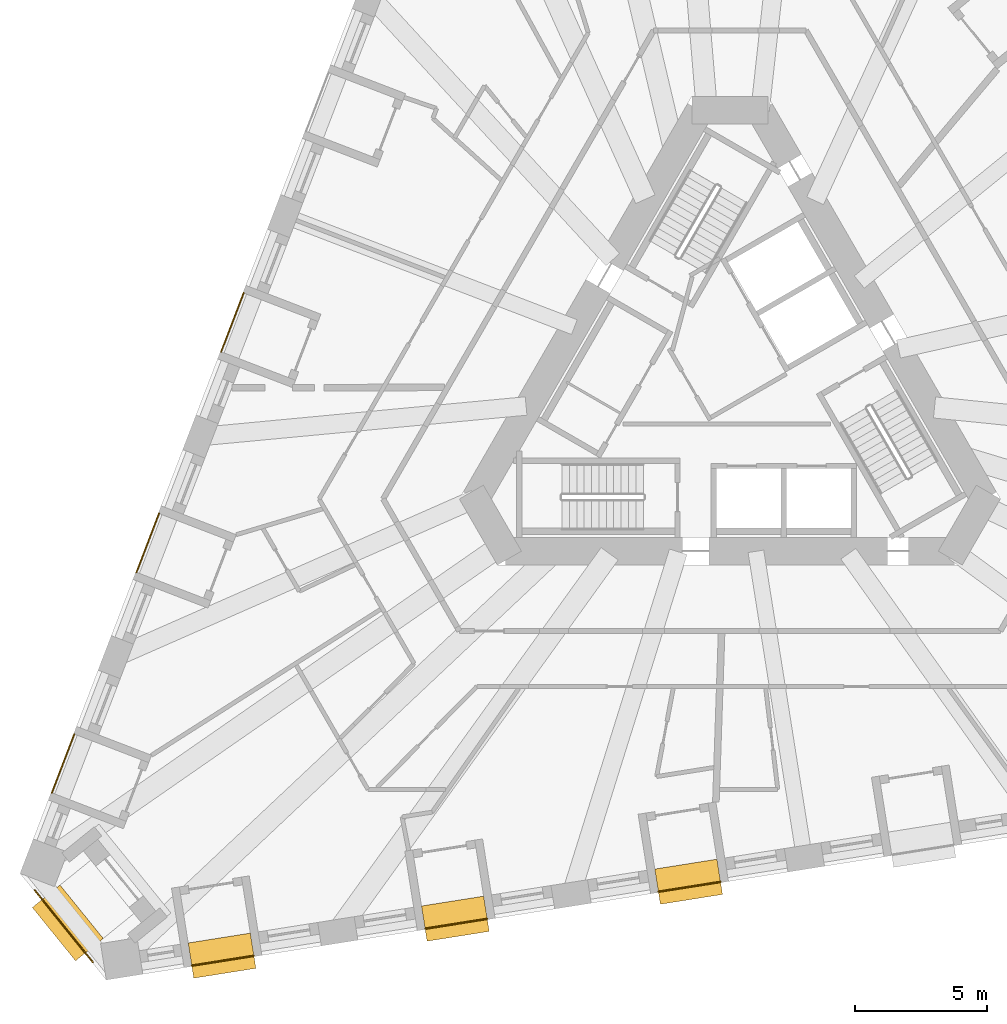
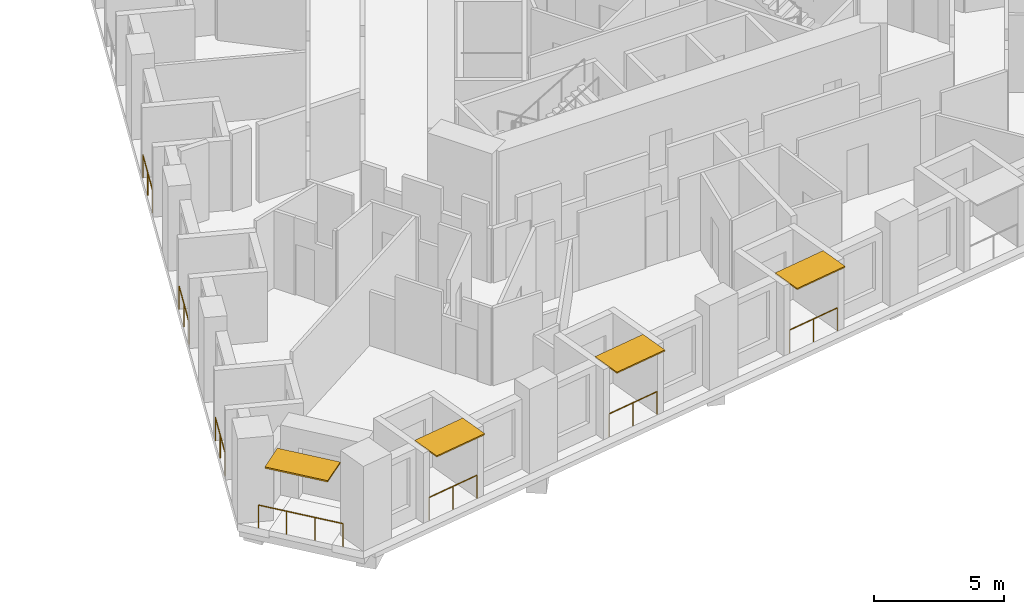
# One storey, part 11 of 14: 7 railings, 4 shading devices.
"""IFC4 building model written with IfcOpenShell, lengths in metres."""

from ifc_helpers import new_model, si_unit, direction, frame, origin, origin_2d, place, context, subcontext, project, spatial, rectangle, circle, extrude, material, layer, layer_set, type_object, element, save


model = new_model("IFC4")

# Units and contexts
model_context = context("Model", 3, precision=1e-05, world=origin(), true_north=direction((0.0, 1.0)))
body_context = subcontext(model_context, "Body", "Model", "MODEL_VIEW")
ifc_project = project(units=[si_unit("LENGTHUNIT", "METRE"), si_unit("AREAUNIT", "SQUARE_METRE"), si_unit("VOLUMEUNIT", "CUBIC_METRE"), si_unit("PLANEANGLEUNIT", "RADIAN"), si_unit("MASSUNIT", "GRAM", prefix="KILO")], contexts=[model_context])

# Site, building, storey
site_placement = place(None, origin())
site = spatial("IfcSite", under=ifc_project, at=site_placement, CompositionType="ELEMENT")
building_placement = place(site_placement, origin())
building = spatial("IfcBuilding", under=site, at=building_placement, Name="Tramontana Tower", CompositionType="ELEMENT")
storey_placement = place(building_placement, frame((0.0, 0.0, 67.199951171875)))
storey = spatial("IfcBuildingStorey", under=building, at=storey_placement, Name="L14", CompositionType="ELEMENT", Elevation=67.199951171875)

# Railings
ifc_material_1 = material(Name="Laminated glass balustrade", Category="glass")
railing_type = type_object("IfcRailingType", Name="GD1 Loggia glass balustrade 1100", PredefinedType="BALUSTRADE", material=ifc_material_1)
for number, where, name in (
    (1, (-18.419677734375, 3.55419921875, 0.0), "Loggia balustrade L14 G1S0.10"),
    (2, (-21.626708984375, -4.80029296875, 0.0), "Loggia balustrade L14 G1S0.13"),
):
    element("IfcRailing", number, at=place(storey_placement, frame(where)), inside=storey, type_object=railing_type, Name=name, PredefinedType="BALUSTRADE", context=body_context, shape_type="SweptSolid", body=[
        extrude(circle(Radius=0.02392578125, at=origin_2d()), frame((0.0, 0.0, 1.076171875), z_axis=(-0.358354292693, -0.933585668757, 0.0), x_axis=(0.933585668757, -0.358354292693, 0.0)), (0.0, 0.0, 1.0), 2.383056640625),
        extrude(circle(Radius=0.02099609375, at=origin_2d()), origin(), (0.0, 0.0, 1.0), 1.052001953125),
        extrude(circle(Radius=0.02099609375, at=origin_2d()), frame((-0.427001953125, -1.1123046875, 0.0)), (0.0, 0.0, 1.0), 1.052001953125),
        extrude(circle(Radius=0.02099609375, at=origin_2d()), frame((-0.85400390625, -2.224853515625, 0.0)), (0.0, 0.0, 1.0), 1.052001953125),
    ])
railing_1_placement = place(storey_placement, frame((-24.833740234375, -13.155029296875, 0.0)))
element("IfcRailing", 3, at=railing_1_placement, inside=storey, type_object=railing_type, Name="Loggia balustrade L14 G1S0.16", PredefinedType="BALUSTRADE", context=body_context, shape_type="SweptSolid", body=[
    extrude(circle(Radius=0.02392578125, at=origin_2d()), frame((0.0, 0.0, 1.076171875), z_axis=(-0.35838856932, -0.933572511046, 0.0), x_axis=(0.933572511046, -0.35838856932, 0.0)), (0.0, 0.0, 1.0), 2.3828125),
    extrude(circle(Radius=0.02099609375, at=origin_2d()), origin(), (0.0, 0.0, 1.0), 1.052001953125),
    extrude(circle(Radius=0.02099609375, at=origin_2d()), frame((-0.427001953125, -1.1123046875, 0.0)), (0.0, 0.0, 1.0), 1.052001953125),
    extrude(circle(Radius=0.02099609375, at=origin_2d()), frame((-0.85400390625, -2.224609375, 0.0)), (0.0, 0.0, 1.0), 1.052001953125),
])
railing_2_placement = place(storey_placement, frame((-20.38427734375, -21.9287109375, 0.0)))
element("IfcRailing", 4, at=railing_2_placement, inside=storey, type_object=railing_type, Name="Loggia balustrade L14 G1S1.1", PredefinedType="BALUSTRADE", context=body_context, shape_type="SweptSolid", body=[
    extrude(circle(Radius=0.02392578125, at=origin_2d()), frame((0.0, 0.0, 1.076171875), z_axis=(0.987685586014, 0.156451855793, 0.0), x_axis=(-0.156451855793, 0.987685586014, 0.0)), (0.0, 0.0, 1.0), 2.3828125),
    extrude(circle(Radius=0.02099609375, at=origin_2d()), origin(), (0.0, 0.0, 1.0), 1.052001953125),
    extrude(circle(Radius=0.02099609375, at=origin_2d()), frame((1.1767578125, 0.1865234375, 0.0)), (0.0, 0.0, 1.0), 1.052001953125),
    extrude(circle(Radius=0.02099609375, at=origin_2d()), frame((2.353515625, 0.372802734375, 0.0)), (0.0, 0.0, 1.0), 1.052001953125),
])
railing_3_placement = place(storey_placement, frame((-11.545654296875, -20.52880859375, 0.0)))
element("IfcRailing", 5, at=railing_3_placement, inside=storey, type_object=railing_type, Name="Loggia balustrade L14 G1S1.4", PredefinedType="BALUSTRADE", context=body_context, shape_type="SweptSolid", body=[
    extrude(circle(Radius=0.02392578125, at=origin_2d()), frame((0.0, 0.0, 1.076171875), z_axis=(0.987688093492, 0.15643602518, 0.0), x_axis=(-0.15643602518, 0.987688093492, 0.0)), (0.0, 0.0, 1.0), 2.383056640625),
    extrude(circle(Radius=0.02099609375, at=origin_2d()), origin(), (0.0, 0.0, 1.0), 1.052001953125),
    extrude(circle(Radius=0.02099609375, at=origin_2d()), frame((1.1767578125, 0.1865234375, 0.0)), (0.0, 0.0, 1.0), 1.052001953125),
    extrude(circle(Radius=0.02099609375, at=origin_2d()), frame((2.353759765625, 0.372802734375, 0.0)), (0.0, 0.0, 1.0), 1.052001953125),
])
railing_4_placement = place(storey_placement, frame((-2.706787109375, -19.12890625, 0.0)))
element("IfcRailing", 6, at=railing_4_placement, inside=storey, type_object=railing_type, Name="Loggia balustrade L14 G1S1.7", PredefinedType="BALUSTRADE", context=body_context, shape_type="SweptSolid", body=[
    extrude(circle(Radius=0.02392578125, at=origin_2d()), frame((0.0, 0.0, 1.076171875), z_axis=(0.987685586014, 0.156451855793, 0.0), x_axis=(-0.156451855793, 0.987685586014, 0.0)), (0.0, 0.0, 1.0), 2.3828125),
    extrude(circle(Radius=0.02099609375, at=origin_2d()), origin(), (0.0, 0.0, 1.0), 1.052001953125),
    extrude(circle(Radius=0.02099609375, at=origin_2d()), frame((1.1767578125, 0.1865234375, 0.0)), (0.0, 0.0, 1.0), 1.052001953125),
    extrude(circle(Radius=0.02099609375, at=origin_2d()), frame((2.353515625, 0.372802734375, 0.0)), (0.0, 0.0, 1.0), 1.052001953125),
])
railing_5_placement = place(storey_placement, frame((-24.132568359375, -21.7939453125, 0.0)))
element("IfcRailing", 7, at=railing_5_placement, inside=storey, type_object=railing_type, Name="Corner loggia balustrade L14 K11", PredefinedType="BALUSTRADE", context=body_context, shape_type="SweptSolid", body=[
    extrude(circle(Radius=0.02392578125, at=origin_2d()), frame((0.0, 0.0, 1.076171875), z_axis=(-0.629328651904, 0.777139271876, 0.0), x_axis=(-0.777139271876, -0.629328651904, 0.0)), (0.0, 0.0, 1.0), 3.5),
    extrude(circle(Radius=0.02099609375, at=origin_2d()), origin(), (0.0, 0.0, 1.0), 1.052001953125),
    extrude(circle(Radius=0.02099609375, at=origin_2d()), frame((-0.734130859375, 0.90673828125, 0.0)), (0.0, 0.0, 1.0), 1.052001953125),
    extrude(circle(Radius=0.02099609375, at=origin_2d()), frame((-1.468505859375, 1.813232421875, 0.0)), (0.0, 0.0, 1.0), 1.052001953125),
    extrude(circle(Radius=0.02099609375, at=origin_2d()), frame((-2.20263671875, 2.719970703125, 0.0)), (0.0, 0.0, 1.0), 1.052001953125),
])

# Shading devices
ifc_material_2 = material(Name="Precast concrete 60 MPa", Category="concrete")
ifc_layer_1 = layer(ifc_material_2, 0.06005859375)
ifc_layer_set_1 = layer_set([ifc_layer_1], Name="SS1 Stone sunshade blade 60")
shading_device_type_1 = type_object("IfcShadingDeviceType", Name="SS1 Stone sunshade blade 60", PredefinedType="USERDEFINED", material=ifc_layer_set_1)
for number, where, z_axis, x_axis, name in (
    (8, (-19.238037109375, -21.5498046875, 3.239990234375), (0.0, 0.0, 1.0), (0.987688340595, 0.15643446504, 0.0), "Sunshade L14 G1S1.1"),
    (9, (-10.399169921875, -20.14990234375, 3.239990234375), (0.0, 0.0, 1.0), (0.987688340595, 0.15643446504, 0.0), "Sunshade L14 G1S1.4"),
    (10, (-1.560546875, -18.75, 3.239990234375), (0.0, 0.0, 1.0), (0.987688340595, 0.15643446504, 0.0), "Sunshade L14 G1S1.7"),
):
    element("IfcShadingDevice", number, at=place(storey_placement, frame(where, z_axis=z_axis, x_axis=x_axis)), inside=storey, type_object=shading_device_type_1, Name=name, ObjectType="SUNSHADE", PredefinedType="USERDEFINED", context=body_context, shape_type="SweptSolid", body=[
        extrude(rectangle(XDim=2.383056640625, YDim=1.35009765625, at=origin_2d()), origin(), (0.0, 0.0, 1.0), 0.06005859375),
    ])
ifc_material_3 = material(Name="Precast concrete 60 MPa", Category="concrete")
ifc_layer_2 = layer(ifc_material_3, 0.070068359375)
ifc_layer_set_2 = layer_set([ifc_layer_2], Name="SS2 Stone sunshade blade 70")
shading_device_type_2 = type_object("IfcShadingDeviceType", Name="SS2 Stone sunshade blade 70", PredefinedType="USERDEFINED", material=ifc_layer_set_2)
shading_device_placement = place(storey_placement, frame((-25.082275390625, -20.311279296875, 3.22998046875), z_axis=(0.0, 0.0, 1.0), x_axis=(-0.62932039105, 0.777145961457, 0.0)))
element("IfcShadingDevice", 11, at=shading_device_placement, inside=storey, type_object=shading_device_type_2, Name="Corner sunshade L14 K11", ObjectType="SUNSHADE", PredefinedType="USERDEFINED", context=body_context, shape_type="SweptSolid", body=[
    extrude(rectangle(XDim=2.60009765625, YDim=1.35009765625, at=origin_2d()), origin(), (0.0, 0.0, 1.0), 0.070068359375),
])

save(model, "model.ifc")
